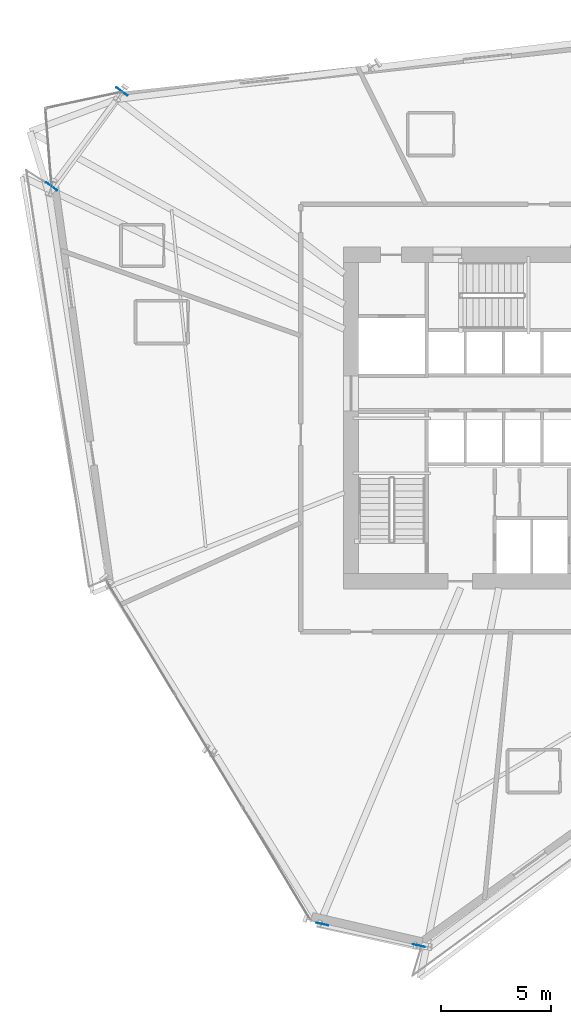
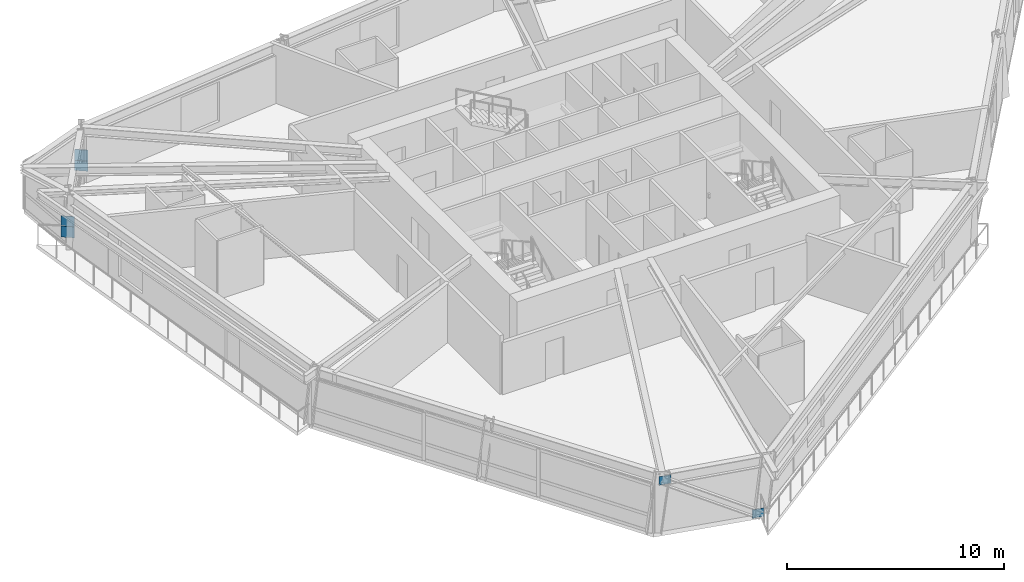
# One storey, part 10 of 18: 6 plates.
"""IFC4 building model written with IfcOpenShell, lengths in metres."""

from ifc_helpers import new_model, si_unit, direction, frame, origin, origin_2d, place, context, subcontext, project, spatial, rectangle, extrude, source, transform, mapped, material, type_object, element, save


model = new_model("IFC4")

# Units and contexts
model_context = context("Model", 3, precision=1e-05, world=origin(), true_north=direction((0.0, 1.0)))
body_context = subcontext(model_context, "Body", "Model", "MODEL_VIEW")
ifc_project = project(units=[si_unit("LENGTHUNIT", "METRE"), si_unit("AREAUNIT", "SQUARE_METRE"), si_unit("VOLUMEUNIT", "CUBIC_METRE"), si_unit("PLANEANGLEUNIT", "RADIAN"), si_unit("MASSUNIT", "GRAM", prefix="KILO")], contexts=[model_context])

# Site, building, storey
site_placement = place(None, origin())
site = spatial("IfcSite", under=ifc_project, at=site_placement, CompositionType="ELEMENT")
building_placement = place(site_placement, origin())
building = spatial("IfcBuilding", under=site, at=building_placement, Name="Olszyna Solenne Hotel", CompositionType="ELEMENT")
storey_placement = place(building_placement, frame((0.0, 0.0, 119.89990234375)))
storey = spatial("IfcBuildingStorey", under=building, at=storey_placement, Name="L31", CompositionType="ELEMENT", Elevation=119.89990234375)

# Plates
ifc_material_1 = material(Name="Steel S460M", Category="steel")
plate_type_1 = type_object("IfcPlateType", Name="GP-CAP2", PredefinedType="USERDEFINED", material=ifc_material_1)
shared_shape_1 = source(origin(), body_context, "Body", "SweptSolid", [
    extrude(rectangle(XDim=0.030029296875, YDim=0.6201171875, at=origin_2d()), origin(), (0.0, 0.0, 1.0), 0.6201171875),
])
for number, where, z_axis, x_axis, name in (
    (1, (19.30029296875, 41.487548828125, 1.0400390625), (0.0, 0.0, 1.0), (-0.597625146976, -0.801775644244, 0.0), "Hollow section end-cap plate GP-CAP2 CP-PR-M-L31-PR1-1"),
    (2, (16.0810546875, 37.168212890625, 1.0400390625), (0.0, 0.0, 1.0), (-0.597625146976, -0.801775644244, 0.0), "Hollow section end-cap plate GP-CAP2 CP-PR-M-L31-PR1-2"),
    (3, (19.30029296875, 41.487548828125, 0.469970703125), (0.0, 0.0, 1.0), (-0.597625146976, -0.801775644244, 0.0), "Hollow section end-cap plate GP-CAP2 CP-PR-M-L31-PR2-1"),
    (4, (16.0810546875, 37.168212890625, 0.469970703125), (0.0, 0.0, 1.0), (-0.597625146976, -0.801775644244, 0.0), "Hollow section end-cap plate GP-CAP2 CP-PR-M-L31-PR2-2"),
):
    element("IfcPlate", number, at=place(storey_placement, frame(where, z_axis=z_axis, x_axis=x_axis)), inside=storey, type_object=plate_type_1, Name=name, ObjectType="GUSSET_PLATE", PredefinedType="USERDEFINED", context=body_context, shape_type="MappedRepresentation", body=[
        mapped(shared_shape_1, transform((0.0, 0.0, 0.0), x_axis=(1.0, 0.0, 0.0), y_axis=(0.0, 1.0, 0.0), z_axis=(0.0, 0.0, 1.0), scale=1.0)),
    ])
ifc_material_2 = material(Name="Steel S355J2", Category="steel")
plate_type_2 = type_object("IfcPlateType", Name="GP-ND2", PredefinedType="USERDEFINED", material=ifc_material_2)
shared_shape_2 = source(origin(), body_context, "Body", "SweptSolid", [
    extrude(rectangle(XDim=0.56005859375, YDim=0.02001953125, at=origin_2d()), origin(), (0.0, 0.0, 1.0), 0.47998046875),
])
for number, where, z_axis, x_axis, name in (
    (5, (32.8388671875, 2.52978515625, -0.15576171875), (0.0, 0.0, 1.0), (-0.976068816814, 0.217461869863, 0.0), "Brace end connection gusset plate GP-ND2 EP-BR-L31-3-1"),
    (6, (28.44091796875, 3.509521484375, 2.656005859375), (0.0, 0.0, 1.0), (-0.976068816814, 0.217461869863, 0.0), "Brace end connection gusset plate GP-ND2 EP-BR-L31-3-2"),
):
    element("IfcPlate", number, at=place(storey_placement, frame(where, z_axis=z_axis, x_axis=x_axis)), inside=storey, type_object=plate_type_2, Name=name, ObjectType="GUSSET_PLATE", PredefinedType="USERDEFINED", context=body_context, shape_type="MappedRepresentation", body=[
        mapped(shared_shape_2, transform((0.0, 0.0, 0.0), x_axis=(1.0, 0.0, 0.0), y_axis=(0.0, 1.0, 0.0), z_axis=(0.0, 0.0, 1.0), scale=1.0)),
    ])

save(model, "model.ifc")
